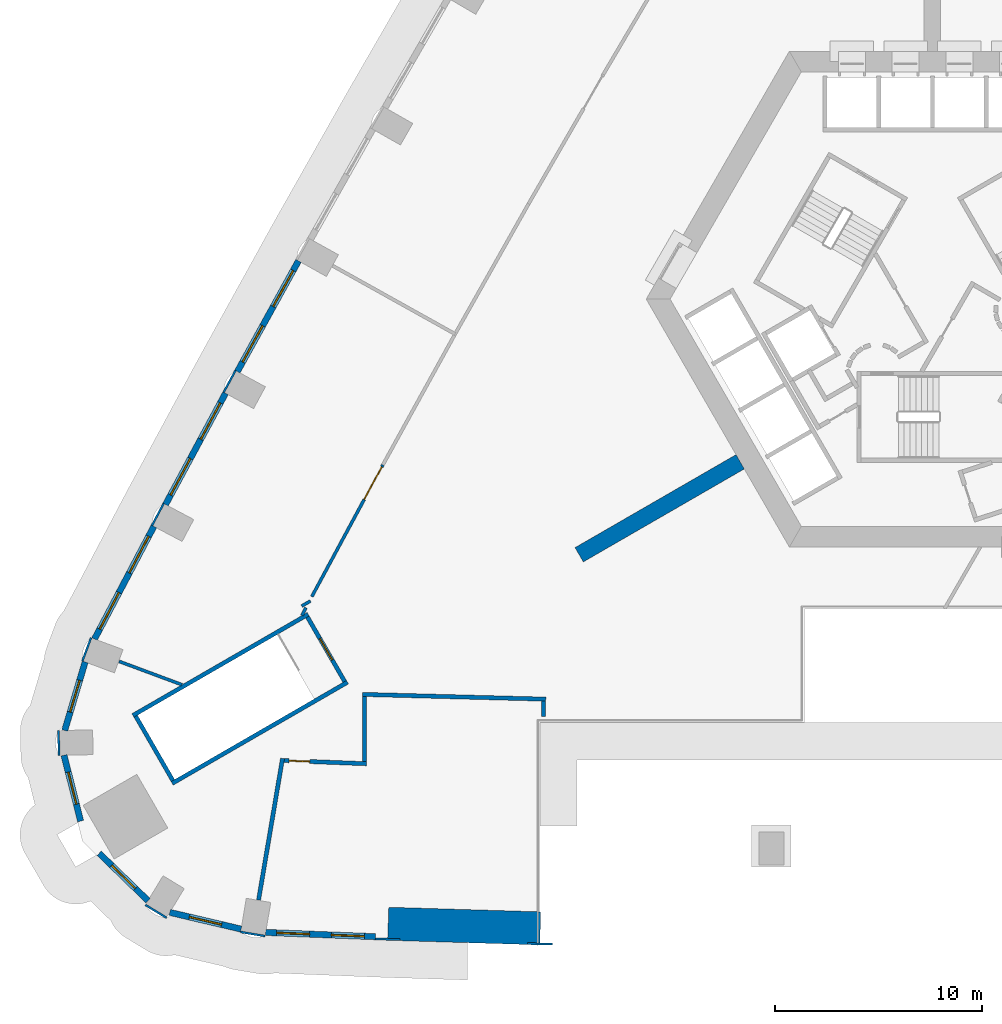
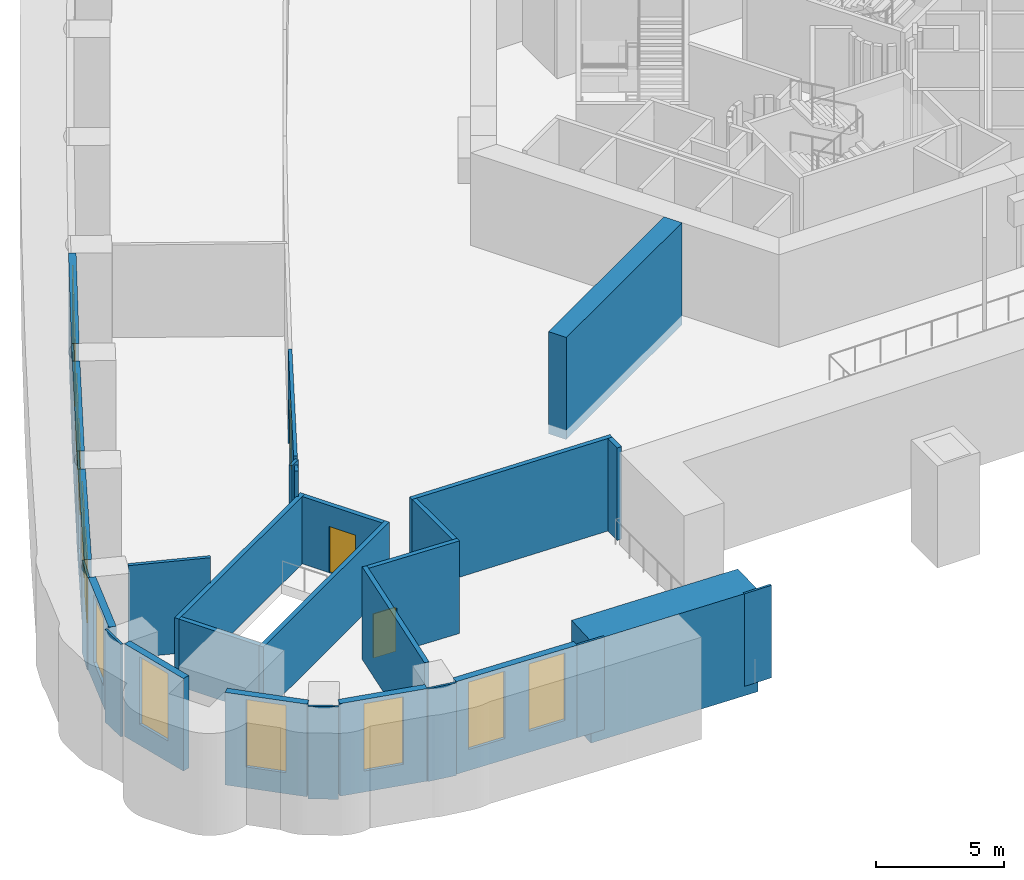
# One storey, part 2 of 15: 31 walls, 12 windows, 3 doors, 15 openings.
"""IFC4 building model written with IfcOpenShell, lengths in metres."""

from ifc_helpers import new_model, si_unit, direction, frame, frame_2d, origin, place, context, subcontext, project, spatial, polyline, rectangle, outline, extrude, material, layer, layer_set, type_object, element, fill, save


model = new_model("IFC4")

# Units and contexts
model_context = context("Model", 3, precision=1e-05, world=origin(), true_north=direction((0.0, 1.0)))
body_context = subcontext(model_context, "Body", "Model", "MODEL_VIEW")
ifc_project = project(units=[si_unit("LENGTHUNIT", "METRE"), si_unit("AREAUNIT", "SQUARE_METRE"), si_unit("VOLUMEUNIT", "CUBIC_METRE"), si_unit("PLANEANGLEUNIT", "RADIAN"), si_unit("MASSUNIT", "GRAM", prefix="KILO")], contexts=[model_context])

# Site, building, storey
site_placement = place(None, origin())
site = spatial("IfcSite", under=ifc_project, at=site_placement, CompositionType="ELEMENT")
building_placement = place(site_placement, origin())
building = spatial("IfcBuilding", under=site, at=building_placement, Name="Entoto Arch Interchange Tower", CompositionType="ELEMENT")
storey_placement = place(building_placement, frame((0.0, 0.0, 30.0)))
storey = spatial("IfcBuildingStorey", under=building, at=storey_placement, Name="L05", CompositionType="ELEMENT", Elevation=30.0)

# Walls
ifc_material_1 = material(Name="Concrete C60/75", Category="concrete")
ifc_layer_1 = layer(ifc_material_1, 1.60009765625)
ifc_layer_set_1 = layer_set([ifc_layer_1], Name="Concrete C60/75")
wall_type_1 = type_object("IfcWallType", Name="Arch leg wall 1600 C60/75", PredefinedType="SHEAR", material=ifc_layer_set_1)
wall_1_placement = place(storey_placement, frame((0.0, 0.0, -0.449951171875)))
element("IfcWall", 1, at=wall_1_placement, inside=storey, type_object=wall_type_1, Name="Arch leg W L05", PredefinedType="SHEAR", context=body_context, shape_type="SweptSolid", body=[
    extrude(outline(polyline([(-26.376953125, -28.5400390625), (-19.0, -28.761962890625), (-18.97607421875, -27.162109375), (-26.321044921875, -26.94091796875), (-26.376953125, -28.5400390625)])), origin(), (0.0, 0.0, 1.0), 4.849853515625),
])
ifc_layer_2 = layer(ifc_material_1, 0.800048828125)
ifc_layer_set_2 = layer_set([ifc_layer_2], Name="Concrete C60/75")
wall_type_2 = type_object("IfcWallType", Name="Buttress wall 800 C60/75", PredefinedType="SHEAR", material=ifc_layer_set_2)
wall_2_placement = place(storey_placement, frame((-9.31005859375, -5.375, -0.449951171875), z_axis=(0.0, 0.0, 1.0), x_axis=(-0.866017533419, -0.500013631625, 0.0)))
element("IfcWall", 2, at=wall_2_placement, inside=storey, type_object=wall_type_2, Name="Buttress wall SW L05", PredefinedType="SHEAR", context=body_context, shape_type="SweptSolid", body=[
    extrude(rectangle(XDim=8.999755859375, YDim=0.800048828125, at=frame_2d((4.5, 0.0))), origin(), (0.0, 0.0, 1.0), 4.849853515625),
])

# Wall, opening, door
ifc_material_2 = material(Name="Gypsum board partition on steel studs", Category="steel")
ifc_layer_3 = layer(ifc_material_2, 0.14990234375)
ifc_layer_set_3 = layer_set([ifc_layer_3], Name="Gypsum board partition on steel studs")
wall_type_3 = type_object("IfcWallType", Name="PARTITION 150", PredefinedType="PARTITIONING", material=ifc_layer_set_3)
wall_3_placement = place(storey_placement, frame((-26.611083984375, -5.530029296875, 0.0), z_axis=(0.0, 0.0, 1.0), x_axis=(-0.474697082426, -0.88014923731, 0.0)))
wall_3 = element("IfcWall", 3, at=wall_3_placement, inside=storey, type_object=wall_type_3, Name="wall:L05:p067", PredefinedType="PARTITIONING", context=body_context, shape_type="SweptSolid", body=[
    extrude(rectangle(XDim=7.23828125, YDim=0.14990234375, at=frame_2d((3.619140625, 0.0))), origin(), (0.0, 0.0, 1.0), 4.39990234375),
])
opening_1_placement = place(wall_3_placement, frame((0.10009765625, 0.0, 0.0)))
opening_1 = element("IfcOpeningElement", 4, at=opening_1_placement, cuts=wall_3, Name="Opening L05-D09", PredefinedType="OPENING", context=body_context, shape_type="SweptSolid", body=[
    extrude(rectangle(XDim=1.800048828125, YDim=2.10009765625, at=frame_2d((0.89990234375, 1.050048828125))), frame((0.0, 0.0849609375, 0.0), z_axis=(0.0, -1.0, 0.0), x_axis=(1.0, 0.0, 0.0)), (0.0, 0.0, 1.0), 0.169921875),
])
ifc_material_3 = material(Name="Timber door leaf in Steel S235 frame", Category="steel")
door_type_1 = type_object("IfcDoorType", Name="DOOR DD-18 1800x2100", OperationType="DOUBLE_DOOR_SINGLE_SWING", PredefinedType="DOOR", material=ifc_material_3)
door_1_placement = place(opening_1_placement, origin())
door_1 = element("IfcDoor", 5, at=door_1_placement, inside=storey, type_object=door_type_1, Name="door:L05:09", OperationType="DOUBLE_DOOR_SINGLE_SWING", OverallHeight=2.10009765625, OverallWidth=1.800048828125, PredefinedType="DOOR", context=body_context, shape_type="SweptSolid", body=[
    extrude(rectangle(XDim=1.800048828125, YDim=2.10009765625, at=frame_2d((0.89990234375, 1.050048828125))), frame((0.0, 0.02490234375, 0.0), z_axis=(0.0, -1.0, 0.0), x_axis=(1.0, 0.0, 0.0)), (0.0, 0.0, 1.0), 0.050048828125),
])
fill(opening_1, door_1)

# Walls
wall_4_placement = place(storey_placement, frame((-30.114990234375, -12.114990234375, 0.0), z_axis=(0.0, 0.0, 1.0), x_axis=(-0.864774934036, -0.502159649377, 0.0)))
element("IfcWall", 6, at=wall_4_placement, inside=storey, type_object=wall_type_3, Name="wall:L05:p068", PredefinedType="PARTITIONING", context=body_context, shape_type="SweptSolid", body=[
    extrude(rectangle(XDim=0.488037109375, YDim=0.14990234375, at=frame_2d((0.244140625, 0.0))), origin(), (0.0, 0.0, 1.0), 4.39990234375),
])
wall_5_placement = place(storey_placement, frame((-30.330078125, -12.43994140625, 0.0), z_axis=(0.0, 0.0, 1.0), x_axis=(-0.465959538506, -0.884806028729, 0.0)))
element("IfcWall", 7, at=wall_5_placement, inside=storey, type_object=wall_type_3, Name="wall:L05:p069", PredefinedType="PARTITIONING", context=body_context, shape_type="SweptSolid", body=[
    extrude(rectangle(XDim=0.4248046875, YDim=0.14990234375, at=frame_2d((0.21240234375, 0.0))), origin(), (0.0, 0.0, 1.0), 4.39990234375),
])
wall_6_placement = place(storey_placement, frame((-36.333984375, -16.16796875, 0.0), z_axis=(0.0, 0.0, 1.0), x_axis=(-0.937400028274, 0.348254485961, 0.0)))
element("IfcWall", 8, at=wall_6_placement, inside=storey, type_object=wall_type_3, Name="wall:L05:p070", PredefinedType="PARTITIONING", context=body_context, shape_type="SweptSolid", body=[
    extrude(rectangle(XDim=3.247314453125, YDim=0.14990234375, at=frame_2d((1.62353515625, 0.0))), origin(), (0.0, 0.0, 1.0), 4.39990234375),
])
ifc_layer_4 = layer(ifc_material_2, 0.199951171875)
ifc_layer_set_4 = layer_set([ifc_layer_4], Name="Gypsum board partition on steel studs")
wall_type_4 = type_object("IfcWallType", Name="PARTITION 200", PredefinedType="PARTITIONING", material=ifc_layer_set_4)
wall_7_placement = place(storey_placement, frame((-32.625, -26.587890625, 0.0), z_axis=(0.0, 0.0, 1.0), x_axis=(0.166858828969, 0.985980796565, 0.0)))
element("IfcWall", 9, at=wall_7_placement, inside=storey, type_object=wall_type_4, Name="wall:L05:p032", PredefinedType="PARTITIONING", context=body_context, shape_type="SweptSolid", body=[
    extrude(rectangle(XDim=6.951416015625, YDim=0.199951171875, at=frame_2d((3.4755859375, 0.0))), origin(), (0.0, 0.0, 1.0), 4.39990234375),
])

# Wall, opening, door
wall_8_placement = place(storey_placement, frame((-31.382080078125, -19.8369140625, 0.0), z_axis=(0.0, 0.0, 1.0), x_axis=(0.999233502058, -0.03914598785, 0.0)))
wall_8 = element("IfcWall", 10, at=wall_8_placement, inside=storey, type_object=wall_type_4, Name="wall:L05:p033", PredefinedType="PARTITIONING", context=body_context, shape_type="SweptSolid", body=[
    extrude(rectangle(XDim=3.9853515625, YDim=0.199951171875, at=frame_2d((1.99267578125, 0.0))), origin(), (0.0, 0.0, 1.0), 4.39990234375),
])
opening_2_placement = place(wall_8_placement, frame((0.23291015625, 0.0, 0.0)))
opening_2 = element("IfcOpeningElement", 11, at=opening_2_placement, cuts=wall_8, Name="Opening L05-D02", PredefinedType="OPENING", context=body_context, shape_type="SweptSolid", body=[
    extrude(rectangle(XDim=1.0, YDim=2.10009765625, at=frame_2d((0.5, 1.050048828125))), frame((0.0, 0.10986328125, 0.0), z_axis=(0.0, -1.0, 0.0), x_axis=(1.0, 0.0, 0.0)), (0.0, 0.0, 1.0), 0.219970703125),
])
ifc_material_4 = material(Name="Fire-rated Steel S235 door and frame", Category="steel")
door_type_2 = type_object("IfcDoorType", Name="DOOR FD-10 1000x2100", OperationType="SINGLE_SWING_LEFT", PredefinedType="DOOR", material=ifc_material_4)
door_2_placement = place(opening_2_placement, origin())
door_2 = element("IfcDoor", 12, at=door_2_placement, inside=storey, type_object=door_type_2, Name="door:L05:02", OperationType="SINGLE_SWING_LEFT", OverallHeight=2.10009765625, OverallWidth=1.0, PredefinedType="DOOR", context=body_context, shape_type="SweptSolid", body=[
    extrude(rectangle(XDim=1.0, YDim=2.10009765625, at=frame_2d((0.5, 1.050048828125))), frame((0.0, 0.02490234375, 0.0), z_axis=(0.0, -1.0, 0.0), x_axis=(1.0, 0.0, 0.0)), (0.0, 0.0, 1.0), 0.050048828125),
])
fill(opening_2, door_2)

# Walls
wall_9_placement = place(storey_placement, frame((-27.5, -19.888916015625, 0.0), z_axis=(0.0, 0.0, 1.0), x_axis=(0.0, 1.0, 0.0)))
element("IfcWall", 13, at=wall_9_placement, inside=storey, type_object=wall_type_4, Name="wall:L05:p034", PredefinedType="PARTITIONING", context=body_context, shape_type="SweptSolid", body=[
    extrude(rectangle(XDim=3.14990234375, YDim=0.199951171875, at=frame_2d((1.574951171875, 0.0))), origin(), (0.0, 0.0, 1.0), 4.39990234375),
])
wall_10_placement = place(storey_placement, frame((-27.60009765625, -16.635986328125, 0.0), z_axis=(0.0, 0.0, 1.0), x_axis=(0.999664659407, -0.025895341927, 0.0)))
element("IfcWall", 14, at=wall_10_placement, inside=storey, type_object=wall_type_4, Name="wall:L05:p035", PredefinedType="PARTITIONING", context=body_context, shape_type="SweptSolid", body=[
    extrude(rectangle(XDim=8.881103515625, YDim=0.199951171875, at=frame_2d((4.4404296875, 0.0))), origin(), (0.0, 0.0, 1.0), 4.39990234375),
])
wall_11_placement = place(storey_placement, frame((-18.822998046875, -16.962890625, 0.0), z_axis=(0.0, 0.0, 1.0), x_axis=(-0.014903942317, -0.999888930083, 0.0)))
element("IfcWall", 15, at=wall_11_placement, inside=storey, type_object=wall_type_4, Name="wall:L05:p036", PredefinedType="PARTITIONING", context=body_context, shape_type="SweptSolid", body=[
    extrude(rectangle(XDim=0.737060546875, YDim=0.199951171875, at=frame_2d((0.36865234375, 0.0))), origin(), (0.0, 0.0, 1.0), 4.39990234375),
])
ifc_material_5 = material(Name="Concrete C40/50", Category="concrete")
ifc_layer_5 = layer(ifc_material_5, 0.199951171875)
ifc_layer_set_5 = layer_set([ifc_layer_5], Name="Concrete C40/50")
wall_type_5 = type_object("IfcWallType", Name="STAIR ENCLOSURE WALL 200", PredefinedType="STANDARD", material=ifc_layer_set_5)
for number, where, z_axis, x_axis, name in (
    (16, (-30.221923828125, -12.7548828125, 0.0), (0.0, 0.0, 1.0), (-0.866019227021, -0.500010698315, 0.0), "Stair wall PST-SW left"),
    (17, (-28.322021484375, -16.044921875, 0.0), (0.0, 0.0, 1.0), (-0.866019227021, -0.500010698315, 0.0), "Stair wall PST-SW right"),
):
    element("IfcWall", number, at=place(storey_placement, frame(where, z_axis=z_axis, x_axis=x_axis)), inside=storey, type_object=wall_type_5, Name=name, PredefinedType="STANDARD", context=body_context, shape_type="SweptSolid", body=[
        extrude(rectangle(XDim=9.800048828125, YDim=0.199951171875, at=frame_2d((4.89990234375, 0.0))), origin(), (0.0, 0.0, 1.0), 3.199951171875),
    ])

# Wall, opening, door
wall_12_placement = place(storey_placement, frame((-30.258056640625, -12.89111328125, 0.0), z_axis=(0.0, 0.0, 1.0), x_axis=(0.499982693035, -0.866035395735, 0.0)))
wall_12 = element("IfcWall", 18, at=wall_12_placement, inside=storey, type_object=wall_type_5, Name="Stair wall PST-SW near", PredefinedType="STANDARD", context=body_context, shape_type="SweptSolid", body=[
    extrude(rectangle(XDim=3.600341796875, YDim=0.199951171875, at=frame_2d((1.80029296875, 0.0))), origin(), (0.0, 0.0, 1.0), 3.199951171875),
])
opening_3_placement = place(wall_12_placement, frame((1.199951171875, 0.0, 0.0)))
opening_3 = element("IfcOpeningElement", 19, at=opening_3_placement, cuts=wall_12, Name="Opening SD-PST-SW-L05", PredefinedType="OPENING", context=body_context, shape_type="SweptSolid", body=[
    extrude(rectangle(XDim=1.199951171875, YDim=2.199951171875, at=frame_2d((0.60009765625, 1.10009765625))), frame((0.0, 0.10986328125, 0.0), z_axis=(0.0, -1.0, 0.0), x_axis=(1.0, 0.0, 0.0)), (0.0, 0.0, 1.0), 0.219970703125),
])
ifc_material_6 = material(Name="Steel S235", Category="steel")
door_type_3 = type_object("IfcDoorType", Name="STAIR DOOR SD2 1200x2200", OperationType="SINGLE_SWING_LEFT", PredefinedType="DOOR", material=ifc_material_6)
door_3_placement = place(opening_3_placement, origin())
door_3 = element("IfcDoor", 20, at=door_3_placement, inside=storey, type_object=door_type_3, Name="Stair door PST-SW L05", OperationType="SINGLE_SWING_LEFT", OverallHeight=2.199951171875, OverallWidth=1.199951171875, PredefinedType="DOOR", context=body_context, shape_type="SweptSolid", body=[
    extrude(rectangle(XDim=1.199951171875, YDim=2.199951171875, at=frame_2d((0.60009765625, 1.10009765625))), frame((0.0, 0.02490234375, 0.0), z_axis=(0.0, -1.0, 0.0), x_axis=(1.0, 0.0, 0.0)), (0.0, 0.0, 1.0), 0.050048828125),
])
fill(opening_3, door_3)

# Wall
wall_13_placement = place(storey_placement, frame((-38.572021484375, -17.69091796875, 0.0), z_axis=(0.0, 0.0, 1.0), x_axis=(0.49995333141, -0.866052346231, 0.0)))
element("IfcWall", 21, at=wall_13_placement, inside=storey, type_object=wall_type_5, Name="Stair wall PST-SW far", PredefinedType="STANDARD", context=body_context, shape_type="SweptSolid", body=[
    extrude(rectangle(XDim=3.600341796875, YDim=0.199951171875, at=frame_2d((1.80029296875, 0.0))), origin(), (0.0, 0.0, 1.0), 3.199951171875),
])

# Wall, openings, windows
ifc_material_7 = material(Name="Welded tuff (ignimbrite) cladding, warm buff", Category="masonry")
ifc_layer_6 = layer(ifc_material_7, 0.300048828125)
ifc_layer_set_6 = layer_set([ifc_layer_6], Name="Welded tuff (ignimbrite) cladding, warm buff")
wall_type_6 = type_object("IfcWallType", Name="STONE INFILL WALL 300", PredefinedType="STANDARD", material=ifc_layer_set_6)
wall_14_placement = place(storey_placement, frame((-32.281982421875, -28.158935546875, 0.0), z_axis=(0.0, 0.0, 1.0), x_axis=(0.999234205654, -0.039128023863, 0.0)))
wall_14 = element("IfcWall", 22, at=wall_14_placement, inside=storey, type_object=wall_type_6, Name="Facade wall S-01 L05", PredefinedType="STANDARD", context=body_context, shape_type="SweptSolid", body=[
    extrude(rectangle(XDim=5.316162109375, YDim=0.300048828125, at=frame_2d((2.658203125, 0.0))), origin(), (0.0, 0.0, 1.0), 4.39990234375),
])
opening_4_placement = place(wall_14_placement, frame((0.529052734375, 0.0, 1.0)))
opening_4 = element("IfcOpeningElement", 23, at=opening_4_placement, cuts=wall_14, Name="Opening WP-C", PredefinedType="OPENING", context=body_context, shape_type="SweptSolid", body=[
    extrude(rectangle(XDim=1.60009765625, YDim=3.199951171875, at=frame_2d((0.800048828125, 1.60009765625))), frame((0.0, 0.16015625, 0.0), z_axis=(0.0, -1.0, 0.0), x_axis=(1.0, 0.0, 0.0)), (0.0, 0.0, 1.0), 0.320068359375),
])
opening_5_placement = place(wall_14_placement, frame((3.18701171875, 0.0, 1.0)))
opening_5 = element("IfcOpeningElement", 24, at=opening_5_placement, cuts=wall_14, Name="Opening WP-C", PredefinedType="OPENING", context=body_context, shape_type="SweptSolid", body=[
    extrude(rectangle(XDim=1.60009765625, YDim=3.199951171875, at=frame_2d((0.800048828125, 1.60009765625))), frame((0.0, 0.16015625, 0.0), z_axis=(0.0, -1.0, 0.0), x_axis=(1.0, 0.0, 0.0)), (0.0, 0.0, 1.0), 0.320068359375),
])
ifc_material_8 = material(Name="Clear glass, low-e double glazed", Category="glass")
window_type_1 = type_object("IfcWindowType", Name="WINDOW WP-C 1600x3200", PartitioningType="DOUBLE_PANEL_VERTICAL", PredefinedType="WINDOW", material=ifc_material_8)
window_1_placement = place(opening_4_placement, origin())
window_1 = element("IfcWindow", 25, at=window_1_placement, inside=storey, type_object=window_type_1, Name="Window WP-C S-01 L05", OverallHeight=3.199951171875, OverallWidth=1.60009765625, PartitioningType="SINGLE_PANEL", PredefinedType="WINDOW", context=body_context, shape_type="SweptSolid", body=[
    extrude(rectangle(XDim=1.60009765625, YDim=3.199951171875, at=frame_2d((0.800048828125, 1.60009765625))), frame((0.0, 0.030029296875, 0.0), z_axis=(0.0, -1.0, 0.0), x_axis=(1.0, 0.0, 0.0)), (0.0, 0.0, 1.0), 0.06005859375),
])
fill(opening_4, window_1)
window_2_placement = place(opening_5_placement, origin())
window_2 = element("IfcWindow", 26, at=window_2_placement, inside=storey, type_object=window_type_1, Name="Window WP-C S-01 L05", OverallHeight=3.199951171875, OverallWidth=1.60009765625, PartitioningType="SINGLE_PANEL", PredefinedType="WINDOW", context=body_context, shape_type="SweptSolid", body=[
    extrude(rectangle(XDim=1.60009765625, YDim=3.199951171875, at=frame_2d((0.800048828125, 1.60009765625))), frame((0.0, 0.030029296875, 0.0), z_axis=(0.0, -1.0, 0.0), x_axis=(1.0, 0.0, 0.0)), (0.0, 0.0, 1.0), 0.06005859375),
])
fill(opening_5, window_2)

wall_15_placement = place(storey_placement, frame((-30.694091796875, 4.35302734375, 0.0), z_axis=(0.0, 0.0, 1.0), x_axis=(-0.483233380559, -0.875491576152, 0.0)))
wall_15 = element("IfcWall", 27, at=wall_15_placement, inside=storey, type_object=wall_type_6, Name="Facade wall NW-07 L05", PredefinedType="STANDARD", context=body_context, shape_type="SweptSolid", body=[
    extrude(rectangle(XDim=6.121337890625, YDim=0.300048828125, at=frame_2d((3.060546875, 0.0))), origin(), (0.0, 0.0, 1.0), 4.39990234375),
])
opening_6_placement = place(wall_15_placement, frame((0.530029296875, 0.0, 1.0)))
opening_6 = element("IfcOpeningElement", 28, at=opening_6_placement, cuts=wall_15, Name="Opening WP-E", PredefinedType="OPENING", context=body_context, shape_type="SweptSolid", body=[
    extrude(rectangle(XDim=2.0, YDim=3.199951171875, at=frame_2d((1.0, 1.60009765625))), frame((0.0, 0.16015625, 0.0), z_axis=(0.0, -1.0, 0.0), x_axis=(1.0, 0.0, 0.0)), (0.0, 0.0, 1.0), 0.320068359375),
])
opening_7_placement = place(wall_15_placement, frame((3.591064453125, 0.0, 1.0)))
opening_7 = element("IfcOpeningElement", 29, at=opening_7_placement, cuts=wall_15, Name="Opening WP-E", PredefinedType="OPENING", context=body_context, shape_type="SweptSolid", body=[
    extrude(rectangle(XDim=2.0, YDim=3.199951171875, at=frame_2d((1.0, 1.60009765625))), frame((0.0, 0.16015625, 0.0), z_axis=(0.0, -1.0, 0.0), x_axis=(1.0, 0.0, 0.0)), (0.0, 0.0, 1.0), 0.320068359375),
])
window_type_2 = type_object("IfcWindowType", Name="WINDOW WP-E 2000x3200", PartitioningType="DOUBLE_PANEL_VERTICAL", PredefinedType="WINDOW", material=ifc_material_8)
window_3_placement = place(opening_6_placement, origin())
window_3 = element("IfcWindow", 30, at=window_3_placement, inside=storey, type_object=window_type_2, Name="Window WP-E NW-07 L05", OverallHeight=3.199951171875, OverallWidth=2.0, PartitioningType="SINGLE_PANEL", PredefinedType="WINDOW", context=body_context, shape_type="SweptSolid", body=[
    extrude(rectangle(XDim=2.0, YDim=3.199951171875, at=frame_2d((1.0, 1.60009765625))), frame((0.0, 0.030029296875, 0.0), z_axis=(0.0, -1.0, 0.0), x_axis=(1.0, 0.0, 0.0)), (0.0, 0.0, 1.0), 0.06005859375),
])
fill(opening_6, window_3)
window_4_placement = place(opening_7_placement, origin())
window_4 = element("IfcWindow", 31, at=window_4_placement, inside=storey, type_object=window_type_2, Name="Window WP-E NW-07 L05", OverallHeight=3.199951171875, OverallWidth=2.0, PartitioningType="SINGLE_PANEL", PredefinedType="WINDOW", context=body_context, shape_type="SweptSolid", body=[
    extrude(rectangle(XDim=2.0, YDim=3.199951171875, at=frame_2d((1.0, 1.60009765625))), frame((0.0, 0.030029296875, 0.0), z_axis=(0.0, -1.0, 0.0), x_axis=(1.0, 0.0, 0.0)), (0.0, 0.0, 1.0), 0.06005859375),
])
fill(opening_7, window_4)

wall_16_placement = place(storey_placement, frame((-34.22607421875, -2.05810546875, 0.0), z_axis=(0.0, 0.0, 1.0), x_axis=(-0.474584950749, -0.880209704856, 0.0)))
wall_16 = element("IfcWall", 32, at=wall_16_placement, inside=storey, type_object=wall_type_6, Name="Facade wall NW-08 L05", PredefinedType="STANDARD", context=body_context, shape_type="SweptSolid", body=[
    extrude(rectangle(XDim=6.12109375, YDim=0.300048828125, at=frame_2d((3.060546875, 0.0))), origin(), (0.0, 0.0, 1.0), 4.39990234375),
])
opening_8_placement = place(wall_16_placement, frame((0.530029296875, 0.0, 1.0)))
opening_8 = element("IfcOpeningElement", 33, at=opening_8_placement, cuts=wall_16, Name="Opening WP-E", PredefinedType="OPENING", context=body_context, shape_type="SweptSolid", body=[
    extrude(rectangle(XDim=2.0, YDim=3.199951171875, at=frame_2d((1.0, 1.60009765625))), frame((0.0, 0.16015625, 0.0), z_axis=(0.0, -1.0, 0.0), x_axis=(1.0, 0.0, 0.0)), (0.0, 0.0, 1.0), 0.320068359375),
])
opening_9_placement = place(wall_16_placement, frame((3.591064453125, 0.0, 1.0)))
opening_9 = element("IfcOpeningElement", 34, at=opening_9_placement, cuts=wall_16, Name="Opening WP-E", PredefinedType="OPENING", context=body_context, shape_type="SweptSolid", body=[
    extrude(rectangle(XDim=2.0, YDim=3.199951171875, at=frame_2d((1.0, 1.60009765625))), frame((0.0, 0.16015625, 0.0), z_axis=(0.0, -1.0, 0.0), x_axis=(1.0, 0.0, 0.0)), (0.0, 0.0, 1.0), 0.320068359375),
])
window_5_placement = place(opening_8_placement, origin())
window_5 = element("IfcWindow", 35, at=window_5_placement, inside=storey, type_object=window_type_2, Name="Window WP-E NW-08 L05", OverallHeight=3.199951171875, OverallWidth=2.0, PartitioningType="SINGLE_PANEL", PredefinedType="WINDOW", context=body_context, shape_type="SweptSolid", body=[
    extrude(rectangle(XDim=2.0, YDim=3.199951171875, at=frame_2d((1.0, 1.60009765625))), frame((0.0, 0.030029296875, 0.0), z_axis=(0.0, -1.0, 0.0), x_axis=(1.0, 0.0, 0.0)), (0.0, 0.0, 1.0), 0.06005859375),
])
fill(opening_8, window_5)
window_6_placement = place(opening_9_placement, origin())
window_6 = element("IfcWindow", 36, at=window_6_placement, inside=storey, type_object=window_type_2, Name="Window WP-E NW-08 L05", OverallHeight=3.199951171875, OverallWidth=2.0, PartitioningType="SINGLE_PANEL", PredefinedType="WINDOW", context=body_context, shape_type="SweptSolid", body=[
    extrude(rectangle(XDim=2.0, YDim=3.199951171875, at=frame_2d((1.0, 1.60009765625))), frame((0.0, 0.030029296875, 0.0), z_axis=(0.0, -1.0, 0.0), x_axis=(1.0, 0.0, 0.0)), (0.0, 0.0, 1.0), 0.06005859375),
])
fill(opening_9, window_6)

wall_17_placement = place(storey_placement, frame((-37.695068359375, -8.5029296875, 0.0), z_axis=(0.0, 0.0, 1.0), x_axis=(-0.466125129602, -0.884718804792, 0.0)))
wall_17 = element("IfcWall", 37, at=wall_17_placement, inside=storey, type_object=wall_type_6, Name="Facade wall NW-09 L05", PredefinedType="STANDARD", context=body_context, shape_type="SweptSolid", body=[
    extrude(rectangle(XDim=6.16357421875, YDim=0.300048828125, at=frame_2d((3.081787109375, 0.0))), origin(), (0.0, 0.0, 1.0), 4.39990234375),
])
opening_10_placement = place(wall_17_placement, frame((0.541015625, 0.0, 1.0)))
opening_10 = element("IfcOpeningElement", 38, at=opening_10_placement, cuts=wall_17, Name="Opening WP-E", PredefinedType="OPENING", context=body_context, shape_type="SweptSolid", body=[
    extrude(rectangle(XDim=2.0, YDim=3.199951171875, at=frame_2d((1.0, 1.60009765625))), frame((0.0, 0.16015625, 0.0), z_axis=(0.0, -1.0, 0.0), x_axis=(1.0, 0.0, 0.0)), (0.0, 0.0, 1.0), 0.320068359375),
])
opening_11_placement = place(wall_17_placement, frame((3.623046875, 0.0, 1.0)))
opening_11 = element("IfcOpeningElement", 39, at=opening_11_placement, cuts=wall_17, Name="Opening WP-E", PredefinedType="OPENING", context=body_context, shape_type="SweptSolid", body=[
    extrude(rectangle(XDim=2.0, YDim=3.199951171875, at=frame_2d((1.0, 1.60009765625))), frame((0.0, 0.16015625, 0.0), z_axis=(0.0, -1.0, 0.0), x_axis=(1.0, 0.0, 0.0)), (0.0, 0.0, 1.0), 0.320068359375),
])
window_7_placement = place(opening_10_placement, origin())
window_7 = element("IfcWindow", 40, at=window_7_placement, inside=storey, type_object=window_type_2, Name="Window WP-E NW-09 L05", OverallHeight=3.199951171875, OverallWidth=2.0, PartitioningType="SINGLE_PANEL", PredefinedType="WINDOW", context=body_context, shape_type="SweptSolid", body=[
    extrude(rectangle(XDim=2.0, YDim=3.199951171875, at=frame_2d((1.0, 1.60009765625))), frame((0.0, 0.030029296875, 0.0), z_axis=(0.0, -1.0, 0.0), x_axis=(1.0, 0.0, 0.0)), (0.0, 0.0, 1.0), 0.06005859375),
])
fill(opening_10, window_7)
window_8_placement = place(opening_11_placement, origin())
window_8 = element("IfcWindow", 41, at=window_8_placement, inside=storey, type_object=window_type_2, Name="Window WP-E NW-09 L05", OverallHeight=3.199951171875, OverallWidth=2.0, PartitioningType="SINGLE_PANEL", PredefinedType="WINDOW", context=body_context, shape_type="SweptSolid", body=[
    extrude(rectangle(XDim=2.0, YDim=3.199951171875, at=frame_2d((1.0, 1.60009765625))), frame((0.0, 0.030029296875, 0.0), z_axis=(0.0, -1.0, 0.0), x_axis=(1.0, 0.0, 0.0)), (0.0, 0.0, 1.0), 0.06005859375),
])
fill(opening_11, window_8)

# Wall, opening, window
wall_18_placement = place(storey_placement, frame((-41.02197265625, -15.06591796875, 0.0), z_axis=(0.0, 0.0, 1.0), x_axis=(-0.285800575124, -0.958289116738, 0.0)))
wall_18 = element("IfcWall", 42, at=wall_18_placement, inside=storey, type_object=wall_type_6, Name="Facade wall SW-01 L05", PredefinedType="STANDARD", context=body_context, shape_type="SweptSolid", body=[
    extrude(rectangle(XDim=3.46044921875, YDim=0.300048828125, at=frame_2d((1.730224609375, 0.0))), origin(), (0.0, 0.0, 1.0), 4.39990234375),
])
opening_12_placement = place(wall_18_placement, frame((0.929931640625, 0.0, 1.0)))
opening_12 = element("IfcOpeningElement", 43, at=opening_12_placement, cuts=wall_18, Name="Opening WP-C", PredefinedType="OPENING", context=body_context, shape_type="SweptSolid", body=[
    extrude(rectangle(XDim=1.60009765625, YDim=3.199951171875, at=frame_2d((0.800048828125, 1.60009765625))), frame((0.0, 0.16015625, 0.0), z_axis=(0.0, -1.0, 0.0), x_axis=(1.0, 0.0, 0.0)), (0.0, 0.0, 1.0), 0.320068359375),
])
window_9_placement = place(opening_12_placement, origin())
window_9 = element("IfcWindow", 44, at=window_9_placement, inside=storey, type_object=window_type_1, Name="Window WP-C SW-01 L05", OverallHeight=3.199951171875, OverallWidth=1.60009765625, PartitioningType="SINGLE_PANEL", PredefinedType="WINDOW", context=body_context, shape_type="SweptSolid", body=[
    extrude(rectangle(XDim=1.60009765625, YDim=3.199951171875, at=frame_2d((0.800048828125, 1.60009765625))), frame((0.0, 0.030029296875, 0.0), z_axis=(0.0, -1.0, 0.0), x_axis=(1.0, 0.0, 0.0)), (0.0, 0.0, 1.0), 0.06005859375),
])
fill(opening_12, window_9)

wall_19_placement = place(storey_placement, frame((-42.0439453125, -19.5810546875, 0.0), z_axis=(0.0, 0.0, 1.0), x_axis=(0.244315836028, -0.969695711172, 0.0)))
wall_19 = element("IfcWall", 45, at=wall_19_placement, inside=storey, type_object=wall_type_6, Name="Facade wall SW-02 L05", PredefinedType="STANDARD", context=body_context, shape_type="SweptSolid", body=[
    extrude(rectangle(XDim=3.29052734375, YDim=0.300048828125, at=frame_2d((1.645263671875, 0.0))), origin(), (0.0, 0.0, 1.0), 4.39990234375),
])
opening_13_placement = place(wall_19_placement, frame((0.844970703125, 0.0, 1.0)))
opening_13 = element("IfcOpeningElement", 46, at=opening_13_placement, cuts=wall_19, Name="Opening WP-C", PredefinedType="OPENING", context=body_context, shape_type="SweptSolid", body=[
    extrude(rectangle(XDim=1.60009765625, YDim=3.199951171875, at=frame_2d((0.800048828125, 1.60009765625))), frame((0.0, 0.16015625, 0.0), z_axis=(0.0, -1.0, 0.0), x_axis=(1.0, 0.0, 0.0)), (0.0, 0.0, 1.0), 0.320068359375),
])
window_10_placement = place(opening_13_placement, origin())
window_10 = element("IfcWindow", 47, at=window_10_placement, inside=storey, type_object=window_type_1, Name="Window WP-C SW-02 L05", OverallHeight=3.199951171875, OverallWidth=1.60009765625, PartitioningType="SINGLE_PANEL", PredefinedType="WINDOW", context=body_context, shape_type="SweptSolid", body=[
    extrude(rectangle(XDim=1.60009765625, YDim=3.199951171875, at=frame_2d((0.800048828125, 1.60009765625))), frame((0.0, 0.030029296875, 0.0), z_axis=(0.0, -1.0, 0.0), x_axis=(1.0, 0.0, 0.0)), (0.0, 0.0, 1.0), 0.06005859375),
])
fill(opening_13, window_10)

wall_20_placement = place(storey_placement, frame((-40.341064453125, -24.3291015625, 0.0), z_axis=(0.0, 0.0, 1.0), x_axis=(0.717527250225, -0.696530433782, 0.0)))
wall_20 = element("IfcWall", 48, at=wall_20_placement, inside=storey, type_object=wall_type_6, Name="Facade wall SW-03 L05", PredefinedType="STANDARD", context=body_context, shape_type="SweptSolid", body=[
    extrude(rectangle(XDim=3.29052734375, YDim=0.300048828125, at=frame_2d((1.645263671875, 0.0))), origin(), (0.0, 0.0, 1.0), 4.39990234375),
])
opening_14_placement = place(wall_20_placement, frame((0.844970703125, 0.0, 1.0)))
opening_14 = element("IfcOpeningElement", 49, at=opening_14_placement, cuts=wall_20, Name="Opening WP-C", PredefinedType="OPENING", context=body_context, shape_type="SweptSolid", body=[
    extrude(rectangle(XDim=1.60009765625, YDim=3.199951171875, at=frame_2d((0.800048828125, 1.60009765625))), frame((0.0, 0.16015625, 0.0), z_axis=(0.0, -1.0, 0.0), x_axis=(1.0, 0.0, 0.0)), (0.0, 0.0, 1.0), 0.320068359375),
])
window_11_placement = place(opening_14_placement, origin())
window_11 = element("IfcWindow", 50, at=window_11_placement, inside=storey, type_object=window_type_1, Name="Window WP-C SW-03 L05", OverallHeight=3.199951171875, OverallWidth=1.60009765625, PartitioningType="SINGLE_PANEL", PredefinedType="WINDOW", context=body_context, shape_type="SweptSolid", body=[
    extrude(rectangle(XDim=1.60009765625, YDim=3.199951171875, at=frame_2d((0.800048828125, 1.60009765625))), frame((0.0, 0.030029296875, 0.0), z_axis=(0.0, -1.0, 0.0), x_axis=(1.0, 0.0, 0.0)), (0.0, 0.0, 1.0), 0.06005859375),
])
fill(opening_14, window_11)

wall_21_placement = place(storey_placement, frame((-36.923095703125, -27.18896484375, 0.0), z_axis=(0.0, 0.0, 1.0), x_axis=(0.97357041301, -0.228387063799, 0.0)))
wall_21 = element("IfcWall", 51, at=wall_21_placement, inside=storey, type_object=wall_type_6, Name="Facade wall SW-04 L05", PredefinedType="STANDARD", context=body_context, shape_type="SweptSolid", body=[
    extrude(rectangle(XDim=3.546875, YDim=0.300048828125, at=frame_2d((1.7734375, 0.0))), origin(), (0.0, 0.0, 1.0), 4.39990234375),
])
opening_15_placement = place(wall_21_placement, frame((0.972900390625, 0.0, 1.0)))
opening_15 = element("IfcOpeningElement", 52, at=opening_15_placement, cuts=wall_21, Name="Opening WP-C", PredefinedType="OPENING", context=body_context, shape_type="SweptSolid", body=[
    extrude(rectangle(XDim=1.60009765625, YDim=3.199951171875, at=frame_2d((0.800048828125, 1.60009765625))), frame((0.0, 0.16015625, 0.0), z_axis=(0.0, -1.0, 0.0), x_axis=(1.0, 0.0, 0.0)), (0.0, 0.0, 1.0), 0.320068359375),
])
window_12_placement = place(opening_15_placement, origin())
window_12 = element("IfcWindow", 53, at=window_12_placement, inside=storey, type_object=window_type_1, Name="Window WP-C SW-04 L05", OverallHeight=3.199951171875, OverallWidth=1.60009765625, PartitioningType="SINGLE_PANEL", PredefinedType="WINDOW", context=body_context, shape_type="SweptSolid", body=[
    extrude(rectangle(XDim=1.60009765625, YDim=3.199951171875, at=frame_2d((0.800048828125, 1.60009765625))), frame((0.0, 0.030029296875, 0.0), z_axis=(0.0, -1.0, 0.0), x_axis=(1.0, 0.0, 0.0)), (0.0, 0.0, 1.0), 0.06005859375),
])
fill(opening_15, window_12)

# Walls
ifc_layer_7 = layer(ifc_material_7, 0.10009765625)
ifc_layer_set_7 = layer_set([ifc_layer_7], Name="Welded tuff (ignimbrite) cladding, warm buff")
wall_type_7 = type_object("IfcWallType", Name="STONE PIER CLADDING 100", PredefinedType="STANDARD", material=ifc_layer_set_7)
wall_22_placement = place(storey_placement, frame((-33.741943359375, -0.9560546875, 0.0), z_axis=(0.0, 0.0, 1.0), x_axis=(-0.478267644701, -0.878214131082, 0.0)))
element("IfcWall", 54, at=wall_22_placement, inside=storey, type_object=wall_type_7, Name="Stone pier NW08 L05", PredefinedType="STANDARD", context=body_context, shape_type="SweptSolid", body=[
    extrude(rectangle(XDim=1.2001953125, YDim=0.10009765625, at=frame_2d((0.60009765625, 0.0))), origin(), (0.0, 0.0, 1.0), 4.39990234375),
])
wall_23_placement = place(storey_placement, frame((-37.221923828125, -7.39697265625, 0.0), z_axis=(0.0, 0.0, 1.0), x_axis=(-0.469383408131, -0.882994459876, 0.0)))
element("IfcWall", 55, at=wall_23_placement, inside=storey, type_object=wall_type_7, Name="Stone pier NW09 L05", PredefinedType="STANDARD", context=body_context, shape_type="SweptSolid", body=[
    extrude(rectangle(XDim=1.199462890625, YDim=0.10009765625, at=frame_2d((0.599609375, 0.0))), origin(), (0.0, 0.0, 1.0), 4.39990234375),
])
wall_24_placement = place(storey_placement, frame((-40.735107421875, -13.89306640625, 0.0), z_axis=(0.0, 0.0, 1.0), x_axis=(-0.348268249601, -0.937394914814, 0.0)))
element("IfcWall", 56, at=wall_24_placement, inside=storey, type_object=wall_type_7, Name="Stone pier NW10 L05", PredefinedType="STANDARD", context=body_context, shape_type="SweptSolid", body=[
    extrude(rectangle(XDim=1.2001953125, YDim=0.10009765625, at=frame_2d((0.60009765625, 0.0))), origin(), (0.0, 0.0, 1.0), 4.39990234375),
])
wall_25_placement = place(storey_placement, frame((-33.493896484375, -28.135009765625, 0.0), z_axis=(0.0, 0.0, 1.0), x_axis=(0.986011774526, -0.166675674579, 0.0)))
element("IfcWall", 57, at=wall_25_placement, inside=storey, type_object=wall_type_7, Name="Stone pier S01 L05", PredefinedType="STANDARD", context=body_context, shape_type="SweptSolid", body=[
    extrude(rectangle(XDim=1.19970703125, YDim=0.10009765625, at=frame_2d((0.599853515625, 0.0))), origin(), (0.0, 0.0, 1.0), 4.39990234375),
])
wall_26_placement = place(storey_placement, frame((-26.97509765625, -28.468994140625, 0.0), z_axis=(0.0, 0.0, 1.0), x_axis=(0.999387493042, -0.034994838926, 0.0)))
element("IfcWall", 58, at=wall_26_placement, inside=storey, type_object=wall_type_7, Name="Stone pier S02 L05", PredefinedType="STANDARD", context=body_context, shape_type="SweptSolid", body=[
    extrude(rectangle(XDim=1.199951171875, YDim=0.10009765625, at=frame_2d((0.60009765625, 0.0))), origin(), (0.0, 0.0, 1.0), 4.39990234375),
])
wall_27_placement = place(storey_placement, frame((-19.59912109375, -28.702880859375, 0.0), z_axis=(0.0, 0.0, 1.0), x_axis=(0.999886724523, -0.015051183404, 0.0)))
element("IfcWall", 59, at=wall_27_placement, inside=storey, type_object=wall_type_7, Name="Stone pier S03 L05", PredefinedType="STANDARD", context=body_context, shape_type="SweptSolid", body=[
    extrude(rectangle(XDim=1.200439453125, YDim=0.10009765625, at=frame_2d((0.60009765625, 0.0))), origin(), (0.0, 0.0, 1.0), 4.39990234375),
])
for number, where, z_axis, x_axis, name in (
    (60, (-42.31201171875, -18.387939453125, 0.0), (0.0, 0.0, 1.0), (0.023391359968, -0.999726384707, 0.0), "Stone pier SW1 L05"),
    (61, (-38.10595703125, -26.825927734375, 0.0), (0.0, 0.0, 1.0), (0.854716608594, -0.519094903649, 0.0), "Stone pier SW3 L05"),
):
    element("IfcWall", number, at=place(storey_placement, frame(where, z_axis=z_axis, x_axis=x_axis)), inside=storey, type_object=wall_type_7, Name=name, PredefinedType="STANDARD", context=body_context, shape_type="SweptSolid", body=[
        extrude(rectangle(XDim=1.2001953125, YDim=0.10009765625, at=frame_2d((0.60009765625, 0.0))), origin(), (0.0, 0.0, 1.0), 4.39990234375),
    ])

save(model, "model.ifc")
